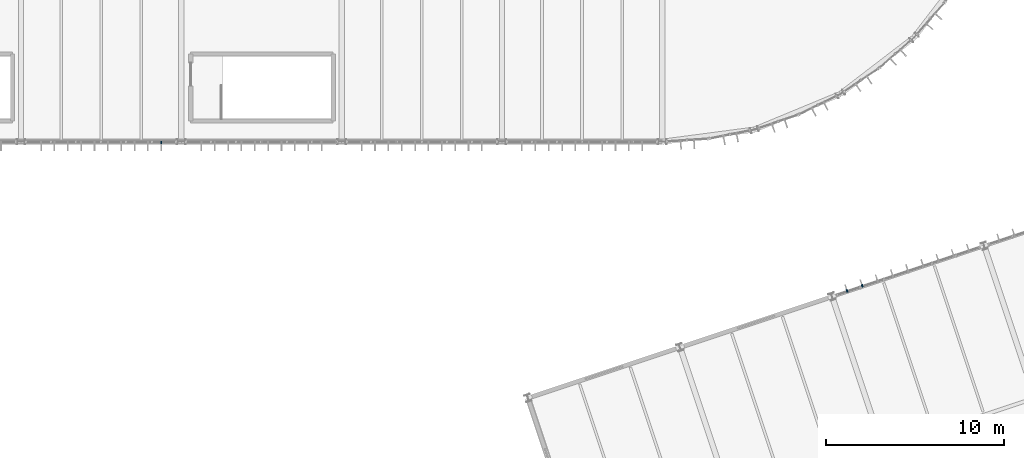
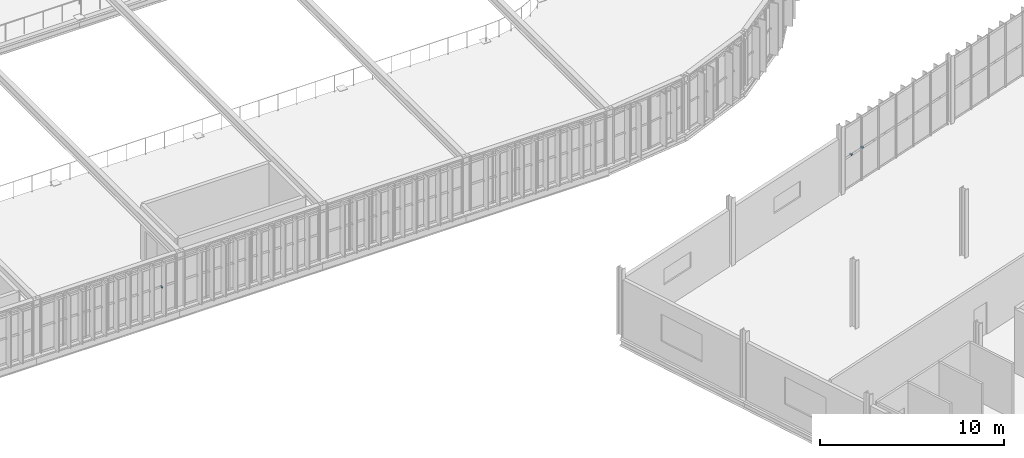
# One storey, part 130 of 152: 3 discrete accessories.
"""IFC4 building model written with IfcOpenShell, lengths in metres."""

from ifc_helpers import new_model, si_unit, derived_unit, direction, frame, origin, origin_2d, place, context, subcontext, project, spatial, rectangle, extrude, material, type_object, element, save


model = new_model("IFC4")

# Units and contexts
model_context = context("Model", 3, precision=1e-05, world=origin(), true_north=direction((0.0, 1.0)))
body_context = subcontext(model_context, "Body", "Model", "MODEL_VIEW")
ifc_project = project(units=[si_unit("LENGTHUNIT", "METRE"), si_unit("AREAUNIT", "SQUARE_METRE"), si_unit("VOLUMEUNIT", "CUBIC_METRE"), si_unit("PLANEANGLEUNIT", "RADIAN"), si_unit("MASSUNIT", "GRAM", prefix="KILO"), si_unit("THERMODYNAMICTEMPERATUREUNIT", "KELVIN"), si_unit("TIMEUNIT", "SECOND"), derived_unit("THERMALTRANSMITTANCEUNIT", [(si_unit("MASSUNIT", "GRAM", prefix="KILO"), 1), (si_unit("THERMODYNAMICTEMPERATUREUNIT", "KELVIN"), -1), (si_unit("TIMEUNIT", "SECOND"), -3)])], contexts=[model_context])

# Site, building, storey
site_placement = place(None, origin())
site = spatial("IfcSite", under=ifc_project, at=site_placement, CompositionType="ELEMENT")
building_placement = place(site_placement, origin())
building = spatial("IfcBuilding", under=site, at=building_placement, Name="Cambertide Market Hall", CompositionType="ELEMENT")
storey_placement = place(building_placement, frame((0.0, 0.0, 5.39990234375)))
storey = spatial("IfcBuildingStorey", under=building, at=storey_placement, Name="L02", CompositionType="ELEMENT", Elevation=5.39990234375)

# Discrete accessories
ifc_material = material(Name="Stainless Steel Grade 316", Category="metal")
discrete_accessory_type = type_object("IfcDiscreteAccessoryType", Name="Stainless Fin Outrigger Tie Bracket", PredefinedType="BRACKET", material=ifc_material)
for number, where, z_axis, x_axis, name in (
    (1, (76.875, 51.9599609375, 1.68505859375), (0.0, 0.0, 1.0), (-1.0, 0.0, 0.0), "CW-V1S-L02-4 Fin Tie Bracket 1"),
    (2, (115.37939453125, 43.629150390625, 2.06005859375), (0.0, 0.0, 1.0), (0.948683274577, 0.316227836438, 0.0), "CW-V3N-L02-3 Fin Tie Bracket 1"),
    (3, (116.233154296875, 43.913818359375, 2.06005859375), (0.0, 0.0, 1.0), (0.948683274577, 0.316227836438, 0.0), "CW-V3N-L02-3 Fin Tie Bracket 2"),
):
    element("IfcDiscreteAccessory", number, at=place(storey_placement, frame(where, z_axis=z_axis, x_axis=x_axis)), inside=storey, type_object=discrete_accessory_type, Name=name, PredefinedType="BRACKET", context=body_context, shape_type="SweptSolid", body=[
        extrude(rectangle(XDim=0.080078125, YDim=0.159912109375, at=origin_2d()), origin(), (0.0, 0.0, 1.0), 0.080078125),
    ])

save(model, "model.ifc")
